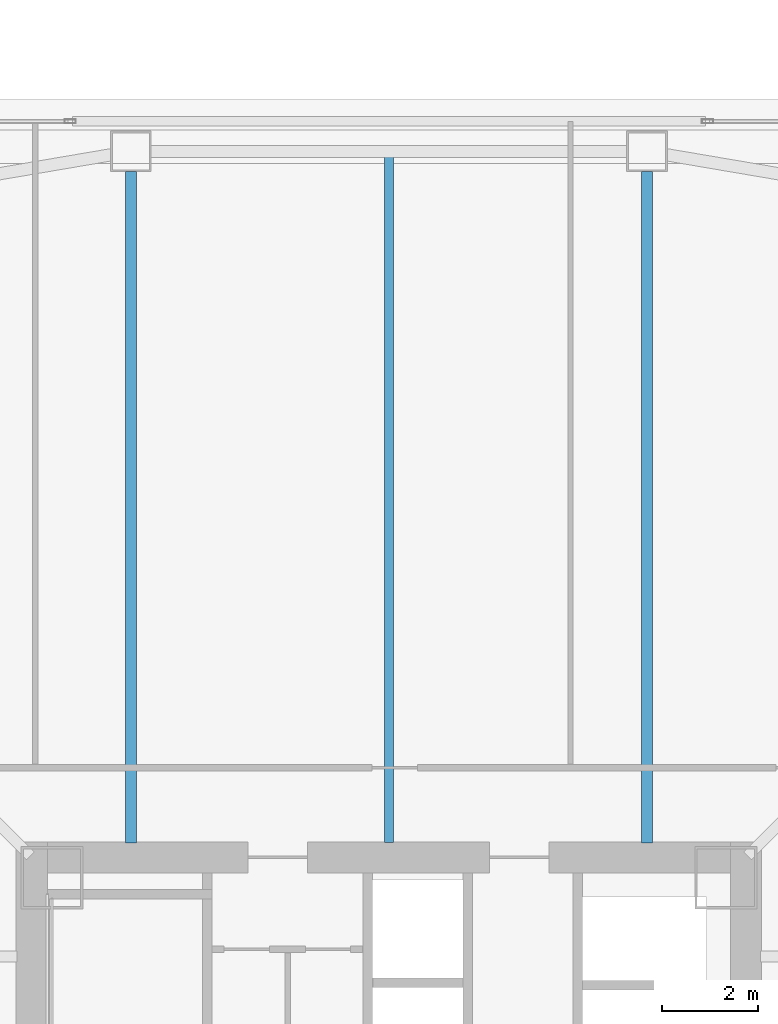
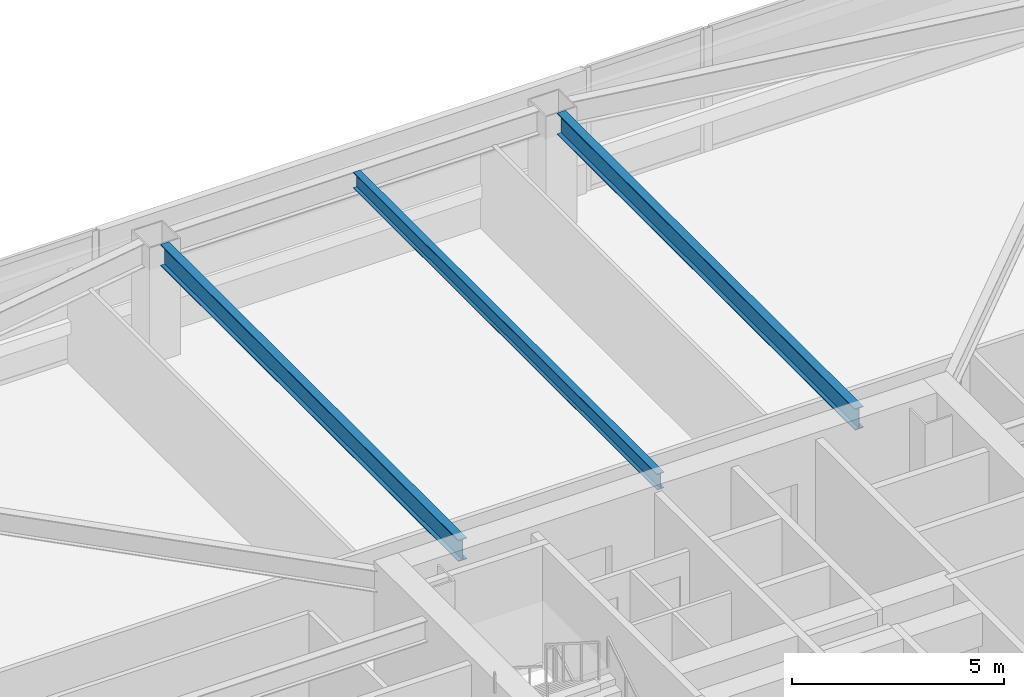
# One storey, part 13 of 46: 3 beams.
"""IFC4 building model written with IfcOpenShell, lengths in metres."""

from ifc_helpers import new_model, si_unit, direction, frame, origin, origin_2d, place, context, subcontext, project, spatial, i_section, extrude, material, material_profile, profile_set, type_object, element, save


model = new_model("IFC4")

# Units and contexts
model_context = context("Model", 3, precision=1e-05, world=origin(), true_north=direction((0.0, 1.0)))
body_context = subcontext(model_context, "Body", "Model", "MODEL_VIEW")
ifc_project = project(units=[si_unit("LENGTHUNIT", "METRE"), si_unit("AREAUNIT", "SQUARE_METRE"), si_unit("VOLUMEUNIT", "CUBIC_METRE"), si_unit("PLANEANGLEUNIT", "RADIAN"), si_unit("MASSUNIT", "GRAM", prefix="KILO")], contexts=[model_context])

# Site, building, storey
site_placement = place(None, origin())
site = spatial("IfcSite", under=ifc_project, at=site_placement, CompositionType="ELEMENT")
building_placement = place(site_placement, origin())
building = spatial("IfcBuilding", under=site, at=building_placement, Name="Tashvorn Skyway Center", CompositionType="ELEMENT")
storey_placement = place(building_placement, frame((0.0, 0.0, 31.699951171875)))
storey = spatial("IfcBuildingStorey", under=building, at=storey_placement, Name="L07", CompositionType="ELEMENT", Elevation=31.699951171875)

# Beams
ifc_material = material(Name="Steel ASTM A992 Grade 50", Category="steel")
ifc_material_profile_1 = material_profile(ifc_material, i_section(OverallWidth=0.22998046875, OverallDepth=0.616943359375, WebThickness=0.01318359375, FlangeThickness=0.022216796875, at=origin_2d()), Name="W24X94")
ifc_profile_set_1 = profile_set([ifc_material_profile_1], Name="Steel ASTM A992 Grade 50")
beam_type_1 = type_object("IfcBeamType", Name="BM-BEAM-W24X94", PredefinedType="BEAM", material=ifc_profile_set_1)
for number, where, z_axis, x_axis, name in (
    (1, (47.39990234375, 53.830078125, 3.04150390625), (0.0, -1.0, 0.0), (1.0, 0.0, 0.0), "Tower 1 L07 Primary Floor Girder FC-N1"),
    (2, (36.60009765625, 53.830078125, 3.04150390625), (0.0, -1.0, 0.0), (1.0, 0.0, 0.0), "Tower 1 L07 Primary Floor Girder FC-N2"),
):
    element("IfcBeam", number, at=place(storey_placement, frame(where, z_axis=z_axis, x_axis=x_axis)), inside=storey, type_object=beam_type_1, Name=name, PredefinedType="BEAM", context=body_context, shape_type="SweptSolid", body=[
        extrude(i_section(OverallWidth=0.22998046875, OverallDepth=0.616943359375, WebThickness=0.01318359375, FlangeThickness=0.022216796875, at=origin_2d()), origin(), (0.0, 0.0, 1.0), 14.050048828125),
    ])
ifc_material_profile_2 = material_profile(ifc_material, i_section(OverallWidth=0.19091796875, OverallDepth=0.4599609375, WebThickness=0.010009765625, FlangeThickness=0.01611328125, at=origin_2d()), Name="W18X55")
ifc_profile_set_2 = profile_set([ifc_material_profile_2], Name="Steel ASTM A992 Grade 50")
beam_type_2 = type_object("IfcBeamType", Name="BM-JOIST-W18X55", PredefinedType="JOIST", material=ifc_profile_set_2)
beam_placement = place(storey_placement, frame((42.0, 39.7900390625, 3.1201171875), z_axis=(0.0, 1.0, 0.0), x_axis=(-1.0, 0.0, 0.0)))
element("IfcBeam", 3, at=beam_placement, inside=storey, type_object=beam_type_2, Name="Tower 1 L07 Secondary Composite Joist JN", PredefinedType="JOIST", context=body_context, shape_type="SweptSolid", body=[
    extrude(i_section(OverallWidth=0.19091796875, OverallDepth=0.4599609375, WebThickness=0.010009765625, FlangeThickness=0.01611328125, at=origin_2d()), origin(), (0.0, 0.0, 1.0), 14.33984375),
])

save(model, "model.ifc")
